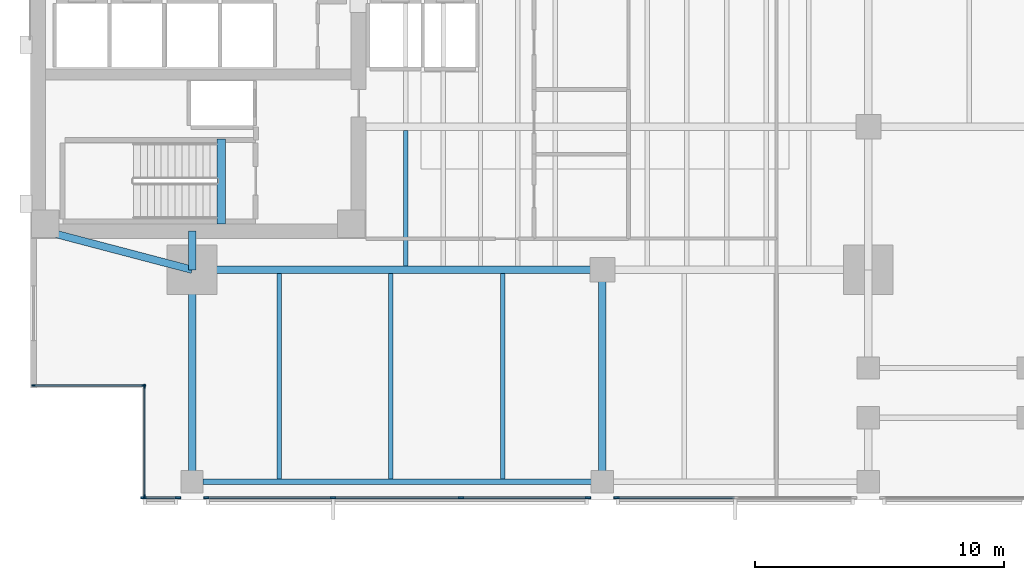
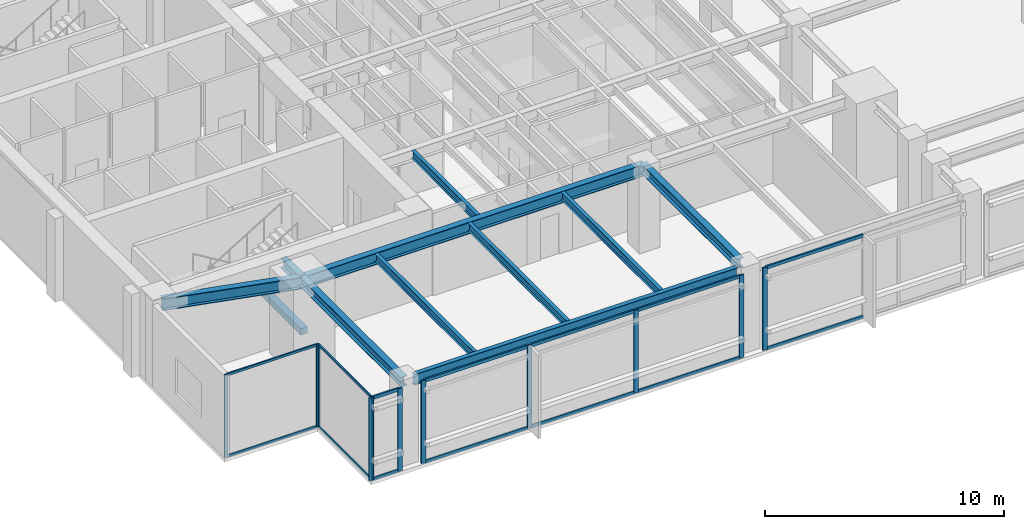
# One storey, part 2 of 14: 25 members, 11 beams, 5 elements without a shape of their own.
"""IFC4 building model written with IfcOpenShell, lengths in metres."""

from ifc_helpers import new_model, si_unit, direction, frame, origin, origin_2d, place, context, subcontext, project, spatial, rectangle, i_section, extrude, material, layer, layer_set, material_profile, profile_set, type_object, element, aggregate, save


model = new_model("IFC4")

# Units and contexts
model_context = context("Model", 3, precision=1e-05, world=origin(), true_north=direction((0.0, 1.0)))
body_context = subcontext(model_context, "Body", "Model", "MODEL_VIEW")
ifc_project = project(units=[si_unit("LENGTHUNIT", "METRE"), si_unit("AREAUNIT", "SQUARE_METRE"), si_unit("VOLUMEUNIT", "CUBIC_METRE"), si_unit("PLANEANGLEUNIT", "RADIAN"), si_unit("MASSUNIT", "GRAM", prefix="KILO")], contexts=[model_context])

# Site, building, storey
site_placement = place(None, origin())
site = spatial("IfcSite", under=ifc_project, at=site_placement, CompositionType="ELEMENT")
building_placement = place(site_placement, origin())
building = spatial("IfcBuilding", under=site, at=building_placement, Name="Kinhvarn Gate Tower", CompositionType="ELEMENT")
storey_placement = place(building_placement, frame((0.0, 0.0, 97.85009765625)))
storey = spatial("IfcBuildingStorey", under=building, at=storey_placement, Name="L25", CompositionType="ELEMENT", Elevation=97.85009765625)

# Beam
ifc_material_1 = material(Name="Concrete C50/60", Category="concrete")
ifc_material_profile_1 = material_profile(ifc_material_1, rectangle(XDim=0.340087890625, YDim=0.320068359375, at=origin_2d()), Name="RC 340x320")
ifc_profile_set_1 = profile_set([ifc_material_profile_1], Name="Concrete C50/60")
beam_type_1 = type_object("IfcBeamType", Name="BM-LND-500", PredefinedType="BEAM", material=ifc_profile_set_1)
beam_1_placement = place(storey_placement, frame((12.1650390625, 14.60009765625, -0.16015625), z_axis=(0.0, 1.0, 0.0), x_axis=(-1.0, 0.0, 0.0)))
element("IfcBeam", 1, at=beam_1_placement, inside=storey, type_object=beam_type_1, Name="Stair ST1 Landing Nosing Beam (L25)", PredefinedType="BEAM", context=body_context, shape_type="SweptSolid", body=[
    extrude(rectangle(XDim=0.340087890625, YDim=0.320068359375, at=origin_2d()), origin(), (0.0, 0.0, 1.0), 3.39990234375),
])

# Curtain wall, members
ifc_material_2 = material(Name="Anodised aluminium AW-6063", Category="aluminium")
ifc_layer_1 = layer(ifc_material_2, 0.179931640625)
ifc_layer_set_1 = layer_set([ifc_layer_1], Name="Anodised aluminium AW-6063")
curtain_wall_type_1 = type_object("IfcCurtainWallType", Name="CW-SYS-4", PredefinedType="NOTDEFINED", material=ifc_layer_set_1)
curtain_wall_1_placement = place(storey_placement, origin())
curtain_wall_1 = element("IfcCurtainWall", 2, at=curtain_wall_1_placement, inside=storey, type_object=curtain_wall_type_1, Name="Curtain Wall CW4 (L25)", PredefinedType="NOTDEFINED")
ifc_material_profile_2 = material_profile(ifc_material_2, rectangle(XDim=0.06494140625, YDim=0.159912109375, at=origin_2d()), Name="ALU 65x160")
ifc_profile_set_2 = profile_set([ifc_material_profile_2], Name="Anodised aluminium AW-6063")
member_type_1 = type_object("IfcMemberType", Name="CW-MUL-160", PredefinedType="MULLION", material=ifc_profile_set_2)
member_1_placement = place(storey_placement, frame((4.62255859375, 8.090087890625, 0.0), z_axis=(0.0, 0.0, 1.0), x_axis=(0.0, 1.0, 0.0)))
member_1 = element("IfcMember", 3, at=member_1_placement, type_object=member_type_1, Name="CW4 mullion 1", PredefinedType="MULLION", context=body_context, shape_type="SweptSolid", body=[
    extrude(rectangle(XDim=0.06494140625, YDim=0.159912109375, at=origin_2d()), origin(), (0.0, 0.0, 1.0), 4.219970703125),
])
member_2_placement = place(storey_placement, frame((9.0576171875, 8.090087890625, 0.0), z_axis=(0.0, 0.0, 1.0), x_axis=(0.0, 1.0, 0.0)))
member_2 = element("IfcMember", 4, at=member_2_placement, type_object=member_type_1, Name="CW4 mullion 2", PredefinedType="MULLION", context=body_context, shape_type="SweptSolid", body=[
    extrude(rectangle(XDim=0.06494140625, YDim=0.159912109375, at=origin_2d()), origin(), (0.0, 0.0, 1.0), 4.219970703125),
])

curtain_wall_2_placement = place(storey_placement, origin())
curtain_wall_2 = element("IfcCurtainWall", 5, at=curtain_wall_2_placement, inside=storey, type_object=curtain_wall_type_1, Name="Curtain Wall CW4 (L25)", PredefinedType="NOTDEFINED")
member_3_placement = place(storey_placement, frame((9.090087890625, 8.0576171875, 0.0), z_axis=(0.0, 0.0, 1.0), x_axis=(1.0, 0.0, 0.0)))
member_3 = element("IfcMember", 6, at=member_3_placement, type_object=member_type_1, Name="CW4 mullion 1", PredefinedType="MULLION", context=body_context, shape_type="SweptSolid", body=[
    extrude(rectangle(XDim=0.06494140625, YDim=0.159912109375, at=origin_2d()), origin(), (0.0, 0.0, 1.0), 4.219970703125),
])
member_4_placement = place(storey_placement, frame((9.090087890625, 3.62255859375, 0.0), z_axis=(0.0, 0.0, 1.0), x_axis=(1.0, 0.0, 0.0)))
member_4 = element("IfcMember", 7, at=member_4_placement, type_object=member_type_1, Name="CW4 mullion 2", PredefinedType="MULLION", context=body_context, shape_type="SweptSolid", body=[
    extrude(rectangle(XDim=0.06494140625, YDim=0.159912109375, at=origin_2d()), origin(), (0.0, 0.0, 1.0), 4.219970703125),
])

ifc_layer_2 = layer(ifc_material_2, 0.219970703125)
ifc_layer_set_2 = layer_set([ifc_layer_2], Name="Anodised aluminium AW-6063")
curtain_wall_type_2 = type_object("IfcCurtainWallType", Name="CW-SYS-5", PredefinedType="NOTDEFINED", material=ifc_layer_set_2)
curtain_wall_3_placement = place(storey_placement, origin())
curtain_wall_3 = element("IfcCurtainWall", 8, at=curtain_wall_3_placement, inside=storey, type_object=curtain_wall_type_2, Name="Curtain Wall CW5 (L25)", PredefinedType="NOTDEFINED")
ifc_material_profile_3 = material_profile(ifc_material_2, rectangle(XDim=0.080078125, YDim=0.219970703125, at=origin_2d()), Name="ALU 80x220")
ifc_profile_set_3 = profile_set([ifc_material_profile_3], Name="Anodised aluminium AW-6063")
member_type_2 = type_object("IfcMemberType", Name="CW-MUL-220", PredefinedType="MULLION", material=ifc_profile_set_3)
member_5_placement = place(storey_placement, frame((9.0400390625, 3.590087890625, 0.0), z_axis=(0.0, 0.0, 1.0), x_axis=(0.0, 1.0, 0.0)))
member_5 = element("IfcMember", 9, at=member_5_placement, type_object=member_type_2, Name="CW5 mullion 1", PredefinedType="MULLION", context=body_context, shape_type="SweptSolid", body=[
    extrude(rectangle(XDim=0.080078125, YDim=0.219970703125, at=origin_2d()), origin(), (0.0, 0.0, 1.0), 4.219970703125),
])
member_6_placement = place(storey_placement, frame((10.429931640625, 3.590087890625, 0.0), z_axis=(0.0, 0.0, 1.0), x_axis=(0.0, 1.0, 0.0)))
member_6 = element("IfcMember", 10, at=member_6_placement, type_object=member_type_2, Name="CW5 mullion 2", PredefinedType="MULLION", context=body_context, shape_type="SweptSolid", body=[
    extrude(rectangle(XDim=0.080078125, YDim=0.219970703125, at=origin_2d()), origin(), (0.0, 0.0, 1.0), 4.219970703125),
])

curtain_wall_4_placement = place(storey_placement, origin())
curtain_wall_4 = element("IfcCurtainWall", 11, at=curtain_wall_4_placement, inside=storey, type_object=curtain_wall_type_2, Name="Curtain Wall CW5 (L25)", PredefinedType="NOTDEFINED")
member_7_placement = place(storey_placement, frame((11.570068359375, 3.590087890625, 0.0), z_axis=(0.0, 0.0, 1.0), x_axis=(0.0, 1.0, 0.0)))
member_7 = element("IfcMember", 12, at=member_7_placement, type_object=member_type_2, Name="CW5 mullion 1", PredefinedType="MULLION", context=body_context, shape_type="SweptSolid", body=[
    extrude(rectangle(XDim=0.080078125, YDim=0.219970703125, at=origin_2d()), origin(), (0.0, 0.0, 1.0), 4.219970703125),
])
member_8_placement = place(storey_placement, frame((16.6767578125, 3.590087890625, 0.0), z_axis=(0.0, 0.0, 1.0), x_axis=(0.0, 1.0, 0.0)))
member_8 = element("IfcMember", 13, at=member_8_placement, type_object=member_type_2, Name="CW5 mullion 2", PredefinedType="MULLION", context=body_context, shape_type="SweptSolid", body=[
    extrude(rectangle(XDim=0.080078125, YDim=0.219970703125, at=origin_2d()), origin(), (0.0, 0.0, 1.0), 4.219970703125),
])
member_9_placement = place(storey_placement, frame((21.8232421875, 3.590087890625, 0.0), z_axis=(0.0, 0.0, 1.0), x_axis=(0.0, 1.0, 0.0)))
member_9 = element("IfcMember", 14, at=member_9_placement, type_object=member_type_2, Name="CW5 mullion 3", PredefinedType="MULLION", context=body_context, shape_type="SweptSolid", body=[
    extrude(rectangle(XDim=0.080078125, YDim=0.219970703125, at=origin_2d()), origin(), (0.0, 0.0, 1.0), 4.219970703125),
])
member_10_placement = place(storey_placement, frame((26.929931640625, 3.590087890625, 0.0), z_axis=(0.0, 0.0, 1.0), x_axis=(0.0, 1.0, 0.0)))
member_10 = element("IfcMember", 15, at=member_10_placement, type_object=member_type_2, Name="CW5 mullion 4", PredefinedType="MULLION", context=body_context, shape_type="SweptSolid", body=[
    extrude(rectangle(XDim=0.080078125, YDim=0.219970703125, at=origin_2d()), origin(), (0.0, 0.0, 1.0), 4.219970703125),
])

# Curtain wall, member
curtain_wall_5_placement = place(storey_placement, origin())
curtain_wall_5 = element("IfcCurtainWall", 16, at=curtain_wall_5_placement, inside=storey, type_object=curtain_wall_type_2, Name="Curtain Wall CW5 (L25)", PredefinedType="NOTDEFINED")
member_11_placement = place(storey_placement, frame((28.070068359375, 3.590087890625, 0.0), z_axis=(0.0, 0.0, 1.0), x_axis=(0.0, 1.0, 0.0)))
member_11 = element("IfcMember", 17, at=member_11_placement, type_object=member_type_2, Name="CW5 mullion 1", PredefinedType="MULLION", context=body_context, shape_type="SweptSolid", body=[
    extrude(rectangle(XDim=0.080078125, YDim=0.219970703125, at=origin_2d()), origin(), (0.0, 0.0, 1.0), 4.219970703125),
])

# Member
ifc_material_profile_4 = material_profile(ifc_material_2, rectangle(XDim=0.06494140625, YDim=0.1201171875, at=origin_2d()), Name="ALU 65x120")
ifc_profile_set_4 = profile_set([ifc_material_profile_4], Name="Anodised aluminium AW-6063")
member_type_3 = type_object("IfcMemberType", Name="CW-TRN-120", PredefinedType="USERDEFINED", material=ifc_profile_set_4)
member_12_placement = place(storey_placement, frame((4.655029296875, 8.090087890625, 0.032470703125), z_axis=(1.0, 0.0, 0.0), x_axis=(0.0, 1.0, 0.0)))
member_12 = element("IfcMember", 18, at=member_12_placement, type_object=member_type_3, Name="CW4 transom 1.1", ObjectType="TRANSOM", PredefinedType="USERDEFINED", context=body_context, shape_type="SweptSolid", body=[
    extrude(rectangle(XDim=0.06494140625, YDim=0.1201171875, at=origin_2d()), origin(), (0.0, 0.0, 1.0), 4.369873046875),
])

member_13_placement = place(storey_placement, frame((4.655029296875, 8.090087890625, 4.1875), z_axis=(1.0, 0.0, 0.0), x_axis=(0.0, 1.0, 0.0)))
member_13 = element("IfcMember", 19, at=member_13_placement, type_object=member_type_3, Name="CW4 transom 1.2", ObjectType="TRANSOM", PredefinedType="USERDEFINED", context=body_context, shape_type="SweptSolid", body=[
    extrude(rectangle(XDim=0.06494140625, YDim=0.1201171875, at=origin_2d()), origin(), (0.0, 0.0, 1.0), 4.369873046875),
])

aggregate(curtain_wall_1, [member_1, member_2, member_12, member_13])

member_14_placement = place(storey_placement, frame((9.090087890625, 8.02490234375, 0.032470703125), z_axis=(0.0, -1.0, 0.0), x_axis=(1.0, 0.0, 0.0)))
member_14 = element("IfcMember", 20, at=member_14_placement, type_object=member_type_3, Name="CW4 transom 1.1", ObjectType="TRANSOM", PredefinedType="USERDEFINED", context=body_context, shape_type="SweptSolid", body=[
    extrude(rectangle(XDim=0.06494140625, YDim=0.1201171875, at=origin_2d()), origin(), (0.0, 0.0, 1.0), 4.369873046875),
])

member_15_placement = place(storey_placement, frame((9.090087890625, 8.02490234375, 4.1875), z_axis=(0.0, -1.0, 0.0), x_axis=(1.0, 0.0, 0.0)))
member_15 = element("IfcMember", 21, at=member_15_placement, type_object=member_type_3, Name="CW4 transom 1.2", ObjectType="TRANSOM", PredefinedType="USERDEFINED", context=body_context, shape_type="SweptSolid", body=[
    extrude(rectangle(XDim=0.06494140625, YDim=0.1201171875, at=origin_2d()), origin(), (0.0, 0.0, 1.0), 4.369873046875),
])

aggregate(curtain_wall_2, [member_3, member_4, member_14, member_15])

ifc_material_profile_5 = material_profile(ifc_material_2, rectangle(XDim=0.080078125, YDim=0.159912109375, at=origin_2d()), Name="ALU 80x160")
ifc_profile_set_5 = profile_set([ifc_material_profile_5], Name="Anodised aluminium AW-6063")
member_type_4 = type_object("IfcMemberType", Name="CW-TRN-160", PredefinedType="USERDEFINED", material=ifc_profile_set_5)
member_16_placement = place(storey_placement, frame((9.080078125, 3.590087890625, 0.039794921875), z_axis=(1.0, 0.0, 0.0), x_axis=(0.0, 1.0, 0.0)))
member_16 = element("IfcMember", 22, at=member_16_placement, type_object=member_type_4, Name="CW5 transom 1.1", ObjectType="TRANSOM", PredefinedType="USERDEFINED", context=body_context, shape_type="SweptSolid", body=[
    extrude(rectangle(XDim=0.080078125, YDim=0.159912109375, at=origin_2d()), origin(), (0.0, 0.0, 1.0), 1.309814453125),
])

member_17_placement = place(storey_placement, frame((9.080078125, 3.590087890625, 4.179931640625), z_axis=(1.0, 0.0, 0.0), x_axis=(0.0, 1.0, 0.0)))
member_17 = element("IfcMember", 23, at=member_17_placement, type_object=member_type_4, Name="CW5 transom 1.2", ObjectType="TRANSOM", PredefinedType="USERDEFINED", context=body_context, shape_type="SweptSolid", body=[
    extrude(rectangle(XDim=0.080078125, YDim=0.159912109375, at=origin_2d()), origin(), (0.0, 0.0, 1.0), 1.309814453125),
])

aggregate(curtain_wall_3, [member_5, member_6, member_16, member_17])

member_18_placement = place(storey_placement, frame((11.610107421875, 3.590087890625, 0.039794921875), z_axis=(1.0, 0.0, 0.0), x_axis=(0.0, 1.0, 0.0)))
member_18 = element("IfcMember", 24, at=member_18_placement, type_object=member_type_4, Name="CW5 transom 1.1", ObjectType="TRANSOM", PredefinedType="USERDEFINED", context=body_context, shape_type="SweptSolid", body=[
    extrude(rectangle(XDim=0.080078125, YDim=0.159912109375, at=origin_2d()), origin(), (0.0, 0.0, 1.0), 5.026611328125),
])

member_19_placement = place(storey_placement, frame((11.610107421875, 3.590087890625, 4.179931640625), z_axis=(1.0, 0.0, 0.0), x_axis=(0.0, 1.0, 0.0)))
member_19 = element("IfcMember", 25, at=member_19_placement, type_object=member_type_4, Name="CW5 transom 1.2", ObjectType="TRANSOM", PredefinedType="USERDEFINED", context=body_context, shape_type="SweptSolid", body=[
    extrude(rectangle(XDim=0.080078125, YDim=0.159912109375, at=origin_2d()), origin(), (0.0, 0.0, 1.0), 5.026611328125),
])

member_20_placement = place(storey_placement, frame((16.716552734375, 3.590087890625, 0.039794921875), z_axis=(1.0, 0.0, 0.0), x_axis=(0.0, 1.0, 0.0)))
member_20 = element("IfcMember", 26, at=member_20_placement, type_object=member_type_4, Name="CW5 transom 2.1", ObjectType="TRANSOM", PredefinedType="USERDEFINED", context=body_context, shape_type="SweptSolid", body=[
    extrude(rectangle(XDim=0.080078125, YDim=0.159912109375, at=origin_2d()), origin(), (0.0, 0.0, 1.0), 5.06689453125),
])

member_21_placement = place(storey_placement, frame((16.716552734375, 3.590087890625, 4.179931640625), z_axis=(1.0, 0.0, 0.0), x_axis=(0.0, 1.0, 0.0)))
member_21 = element("IfcMember", 27, at=member_21_placement, type_object=member_type_4, Name="CW5 transom 2.2", ObjectType="TRANSOM", PredefinedType="USERDEFINED", context=body_context, shape_type="SweptSolid", body=[
    extrude(rectangle(XDim=0.080078125, YDim=0.159912109375, at=origin_2d()), origin(), (0.0, 0.0, 1.0), 5.06689453125),
])

member_22_placement = place(storey_placement, frame((21.86328125, 3.590087890625, 0.039794921875), z_axis=(1.0, 0.0, 0.0), x_axis=(0.0, 1.0, 0.0)))
member_22 = element("IfcMember", 28, at=member_22_placement, type_object=member_type_4, Name="CW5 transom 3.1", ObjectType="TRANSOM", PredefinedType="USERDEFINED", context=body_context, shape_type="SweptSolid", body=[
    extrude(rectangle(XDim=0.080078125, YDim=0.159912109375, at=origin_2d()), origin(), (0.0, 0.0, 1.0), 5.026611328125),
])

member_23_placement = place(storey_placement, frame((21.86328125, 3.590087890625, 4.179931640625), z_axis=(1.0, 0.0, 0.0), x_axis=(0.0, 1.0, 0.0)))
member_23 = element("IfcMember", 29, at=member_23_placement, type_object=member_type_4, Name="CW5 transom 3.2", ObjectType="TRANSOM", PredefinedType="USERDEFINED", context=body_context, shape_type="SweptSolid", body=[
    extrude(rectangle(XDim=0.080078125, YDim=0.159912109375, at=origin_2d()), origin(), (0.0, 0.0, 1.0), 5.026611328125),
])

aggregate(curtain_wall_4, [member_7, member_8, member_9, member_10, member_18, member_19, member_20, member_21, member_22, member_23])

member_24_placement = place(storey_placement, frame((28.110107421875, 3.590087890625, 0.039794921875), z_axis=(1.0, 0.0, 0.0), x_axis=(0.0, 1.0, 0.0)))
member_24 = element("IfcMember", 30, at=member_24_placement, type_object=member_type_4, Name="CW5 transom 1.1", ObjectType="TRANSOM", PredefinedType="USERDEFINED", context=body_context, shape_type="SweptSolid", body=[
    extrude(rectangle(XDim=0.080078125, YDim=0.159912109375, at=origin_2d()), origin(), (0.0, 0.0, 1.0), 4.699951171875),
])

member_25_placement = place(storey_placement, frame((28.110107421875, 3.590087890625, 4.179931640625), z_axis=(1.0, 0.0, 0.0), x_axis=(0.0, 1.0, 0.0)))
member_25 = element("IfcMember", 31, at=member_25_placement, type_object=member_type_4, Name="CW5 transom 1.2", ObjectType="TRANSOM", PredefinedType="USERDEFINED", context=body_context, shape_type="SweptSolid", body=[
    extrude(rectangle(XDim=0.080078125, YDim=0.159912109375, at=origin_2d()), origin(), (0.0, 0.0, 1.0), 4.699951171875),
])

aggregate(curtain_wall_5, [member_11, member_24, member_25])

# Beams
ifc_material_3 = material(Name="Steel S355", Category="steel")
ifc_material_profile_6 = material_profile(ifc_material_3, i_section(OverallWidth=0.300048828125, OverallDepth=0.5, WebThickness=0.014404296875, FlangeThickness=0.028076171875, at=origin_2d()), Name="HEB 500")
ifc_profile_set_6 = profile_set([ifc_material_profile_6], Name="Steel S355")
beam_type_2 = type_object("IfcBeamType", Name="STL-HEB500", PredefinedType="BEAM", material=ifc_profile_set_6)
beam_2_placement = place(storey_placement, frame((11.0, 4.219970703125, 3.969970703125), z_axis=(0.0, 1.0, 0.0), x_axis=(-1.0, 0.0, 0.0)))
element("IfcBeam", 32, at=beam_2_placement, inside=storey, type_object=beam_type_2, Name="Floor Beam PG-14 (L25 MCW-S)", PredefinedType="BEAM", context=body_context, shape_type="SweptSolid", body=[
    extrude(i_section(OverallWidth=0.300048828125, OverallDepth=0.5, WebThickness=0.014404296875, FlangeThickness=0.028076171875, at=origin_2d()), origin(), (0.0, 0.0, 1.0), 8.530029296875),
])
beam_3_placement = place(storey_placement, frame((11.0, 12.75, 3.969970703125), z_axis=(0.0, 1.0, 0.0), x_axis=(-1.0, 0.0, 0.0)))
element("IfcBeam", 33, at=beam_3_placement, inside=storey, type_object=beam_type_2, Name="Floor Beam PG-14 (L25 MCW-CS)", PredefinedType="BEAM", context=body_context, shape_type="SweptSolid", body=[
    extrude(i_section(OverallWidth=0.300048828125, OverallDepth=0.5, WebThickness=0.014404296875, FlangeThickness=0.028076171875, at=origin_2d()), origin(), (0.0, 0.0, 1.0), 1.550048828125),
])
beam_4_placement = place(storey_placement, frame((27.5, 4.655029296875, 3.969970703125), z_axis=(0.0, 1.0, 0.0), x_axis=(-1.0, 0.0, 0.0)))
element("IfcBeam", 34, at=beam_4_placement, inside=storey, type_object=beam_type_2, Name="Floor Beam PG-14 (L25 SP27-S-TIE)", PredefinedType="BEAM", context=body_context, shape_type="SweptSolid", body=[
    extrude(i_section(OverallWidth=0.300048828125, OverallDepth=0.5, WebThickness=0.014404296875, FlangeThickness=0.028076171875, at=origin_2d()), origin(), (0.0, 0.0, 1.0), 8.094970703125),
])
ifc_material_profile_7 = material_profile(ifc_material_3, i_section(OverallWidth=0.300048828125, OverallDepth=0.60009765625, WebThickness=0.015380859375, FlangeThickness=0.030029296875, at=origin_2d()), Name="HEB 600")
ifc_profile_set_7 = profile_set([ifc_material_profile_7], Name="Steel S355")
beam_type_3 = type_object("IfcBeamType", Name="STL-HEB600", PredefinedType="BEAM", material=ifc_profile_set_7)
beam_5_placement = place(storey_placement, frame((11.0, 12.75, 3.919921875), z_axis=(1.0, 0.0, 0.0), x_axis=(0.0, 1.0, 0.0)))
element("IfcBeam", 35, at=beam_5_placement, inside=storey, type_object=beam_type_3, Name="Floor Beam PG-16 (L25 MG-S1)", PredefinedType="BEAM", context=body_context, shape_type="SweptSolid", body=[
    extrude(i_section(OverallWidth=0.300048828125, OverallDepth=0.60009765625, WebThickness=0.015380859375, FlangeThickness=0.030029296875, at=origin_2d()), origin(), (0.0, 0.0, 1.0), 16.5),
])
beam_6_placement = place(storey_placement, frame((5.10009765625, 14.300048828125, 3.919921875), z_axis=(0.967177623957, -0.254101246979, 0.0), x_axis=(0.254101246979, 0.967177623957, 0.0)))
element("IfcBeam", 36, at=beam_6_placement, inside=storey, type_object=beam_type_3, Name="Floor Beam PG-16 (L25 MG-SW-DIAG)", PredefinedType="BEAM", context=body_context, shape_type="SweptSolid", body=[
    extrude(i_section(OverallWidth=0.300048828125, OverallDepth=0.60009765625, WebThickness=0.015380859375, FlangeThickness=0.030029296875, at=origin_2d()), origin(), (0.0, 0.0, 1.0), 6.10009765625),
])
ifc_material_profile_8 = material_profile(ifc_material_3, i_section(OverallWidth=0.179931640625, OverallDepth=0.39990234375, WebThickness=0.008544921875, FlangeThickness=0.013427734375, at=origin_2d()), Name="IPE 400")
ifc_profile_set_8 = profile_set([ifc_material_profile_8], Name="Steel S355")
beam_type_4 = type_object("IfcBeamType", Name="STL-IPE400", PredefinedType="JOIST", material=ifc_profile_set_8)
beam_7_placement = place(storey_placement, frame((19.60009765625, 12.89990234375, 4.02001953125), z_axis=(0.0, 1.0, 0.0), x_axis=(-1.0, 0.0, 0.0)))
element("IfcBeam", 37, at=beam_7_placement, inside=storey, type_object=beam_type_4, Name="Floor Joist SB-05 (L25 JC-X196-0)", PredefinedType="JOIST", context=body_context, shape_type="SweptSolid", body=[
    extrude(i_section(OverallWidth=0.179931640625, OverallDepth=0.39990234375, WebThickness=0.008544921875, FlangeThickness=0.013427734375, at=origin_2d()), origin(), (0.0, 0.0, 1.0), 5.4501953125),
])
for number, where, z_axis, x_axis, name in (
    (38, (14.5, 4.324951171875, 4.02001953125), (0.0, 1.0, 0.0), (-1.0, 0.0, 0.0), "Floor Joist SB-05 (L25 JS-X145)"),
    (39, (19.0, 4.324951171875, 4.02001953125), (0.0, 1.0, 0.0), (-1.0, 0.0, 0.0), "Floor Joist SB-05 (L25 JS-X190)"),
    (40, (23.5, 4.324951171875, 4.02001953125), (0.0, 1.0, 0.0), (-1.0, 0.0, 0.0), "Floor Joist SB-05 (L25 JS-X235)"),
):
    element("IfcBeam", number, at=place(storey_placement, frame(where, z_axis=z_axis, x_axis=x_axis)), inside=storey, type_object=beam_type_4, Name=name, PredefinedType="JOIST", context=body_context, shape_type="SweptSolid", body=[
        extrude(i_section(OverallWidth=0.179931640625, OverallDepth=0.39990234375, WebThickness=0.008544921875, FlangeThickness=0.013427734375, at=origin_2d()), origin(), (0.0, 0.0, 1.0), 8.275146484375),
    ])
ifc_material_profile_9 = material_profile(ifc_material_3, i_section(OverallWidth=0.2099609375, OverallDepth=0.550048828125, WebThickness=0.010986328125, FlangeThickness=0.01708984375, at=origin_2d()), Name="IPE 550")
ifc_profile_set_9 = profile_set([ifc_material_profile_9], Name="Steel S355")
beam_type_5 = type_object("IfcBeamType", Name="STL-IPE550", PredefinedType="SPANDREL", material=ifc_profile_set_9)
beam_8_placement = place(storey_placement, frame((11.43505859375, 4.219970703125, 3.94482421875), z_axis=(1.0, 0.0, 0.0), x_axis=(0.0, 1.0, 0.0)))
element("IfcBeam", 41, at=beam_8_placement, inside=storey, type_object=beam_type_5, Name="Floor Spandrel SB-08 (L25 SP-S1)", PredefinedType="SPANDREL", context=body_context, shape_type="SweptSolid", body=[
    extrude(i_section(OverallWidth=0.2099609375, OverallDepth=0.550048828125, WebThickness=0.010986328125, FlangeThickness=0.01708984375, at=origin_2d()), origin(), (0.0, 0.0, 1.0), 15.6298828125),
])

save(model, "model.ifc")
